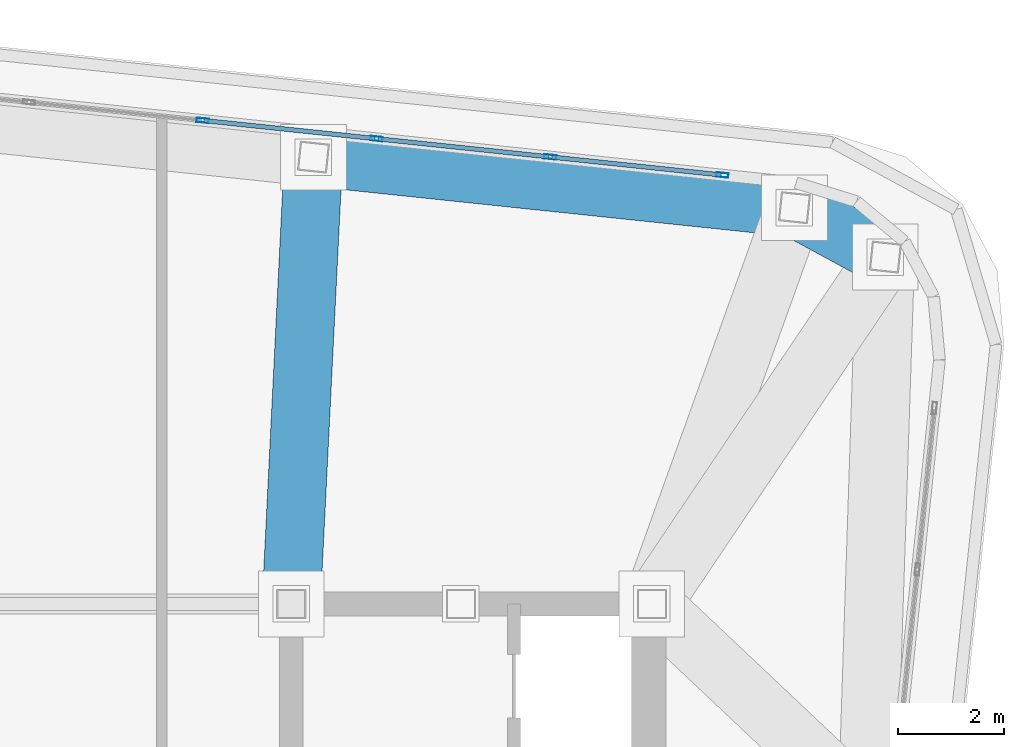
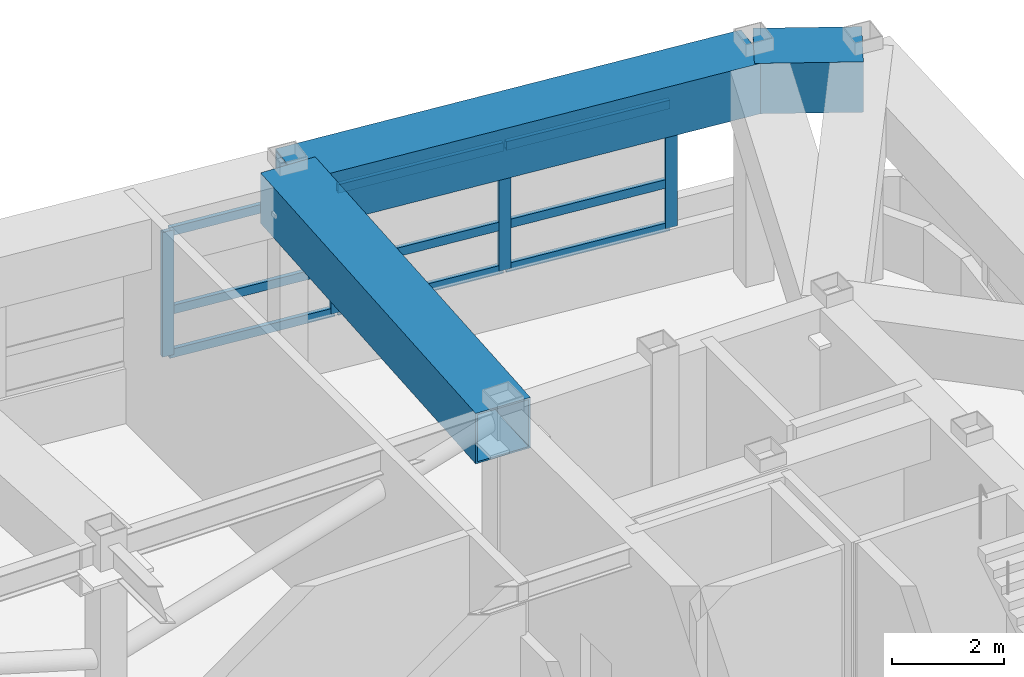
# One storey, part 16 of 22: 13 members, 3 beams, 1 element without a shape of its own.
"""IFC4 building model written with IfcOpenShell, lengths in metres."""

from ifc_helpers import new_model, si_unit, direction, frame, origin, origin_2d, place, context, subcontext, project, spatial, hollow_rectangle, extrude, material, layer, layer_set, material_profile, profile_set, type_object, element, aggregate, save


model = new_model("IFC4")

# Units and contexts
model_context = context("Model", 3, precision=1e-05, world=origin(), true_north=direction((0.0, 1.0)))
body_context = subcontext(model_context, "Body", "Model", "MODEL_VIEW")
ifc_project = project(units=[si_unit("LENGTHUNIT", "METRE"), si_unit("AREAUNIT", "SQUARE_METRE"), si_unit("VOLUMEUNIT", "CUBIC_METRE"), si_unit("PLANEANGLEUNIT", "RADIAN"), si_unit("MASSUNIT", "GRAM", prefix="KILO")], contexts=[model_context])

# Site, building, storey
site_placement = place(None, origin())
site = spatial("IfcSite", under=ifc_project, at=site_placement, CompositionType="ELEMENT")
building_placement = place(site_placement, origin())
building = spatial("IfcBuilding", under=site, at=building_placement, Name="Voryun Gate Residences", CompositionType="ELEMENT")
storey_placement = place(building_placement, frame((0.0, 0.0, 310.699951171875)))
storey = spatial("IfcBuildingStorey", under=building, at=storey_placement, Name="L77", CompositionType="ELEMENT", Elevation=310.699951171875)

# Beams
ifc_material_1 = material(Name="Steel SM420", Category="steel")
ifc_material_profile_1 = material_profile(ifc_material_1, hollow_rectangle(XDim=1.10009765625, YDim=1.10009765625, WallThickness=0.035888671875, at=origin_2d()), Name="BOX-1100x1100x36")
ifc_profile_set_1 = profile_set([ifc_material_profile_1], Name="Steel SM420")
beam_type = type_object("IfcBeamType", Name="BM_ARCH_RIB", PredefinedType="USERDEFINED", material=ifc_profile_set_1)
beam_1_placement = place(storey_placement, frame((23.603759765625, 13.9404296875, 4.47509765625), z_axis=(-0.87877849121, 0.477229885262, 0.0), x_axis=(-0.477229885262, -0.87877849121, 0.0)))
element("IfcBeam", 1, at=beam_1_placement, inside=storey, type_object=beam_type, Name="BM-L77-SPAND-10", ObjectType="GIRDER", PredefinedType="USERDEFINED", context=body_context, shape_type="SweptSolid", body=[
    extrude(hollow_rectangle(XDim=1.10009765625, YDim=1.10009765625, WallThickness=0.035888671875, at=origin_2d()), origin(), (0.0, 0.0, 1.0), 1.95166015625),
])
beam_2_placement = place(storey_placement, frame((21.888671875, 14.871826171875, 4.47509765625), z_axis=(-0.994523919568, 0.104509202498, 0.0), x_axis=(-0.104509202498, -0.994523919568, 0.0)))
element("IfcBeam", 2, at=beam_2_placement, inside=storey, type_object=beam_type, Name="BM-L77-SPAND-11", ObjectType="GIRDER", PredefinedType="USERDEFINED", context=body_context, shape_type="SweptSolid", body=[
    extrude(hollow_rectangle(XDim=1.10009765625, YDim=1.10009765625, WallThickness=0.035888671875, at=origin_2d()), origin(), (0.0, 0.0, 1.0), 9.1201171875),
])
beam_3_placement = place(storey_placement, frame((12.39990234375, 7.39990234375, 4.47509765625), z_axis=(0.049635922604, 0.998767377915, 0.0), x_axis=(-0.998767377915, 0.049635922604, 0.0)))
element("IfcBeam", 3, at=beam_3_placement, inside=storey, type_object=beam_type, Name="BM-L77-RAD-N2", ObjectType="GIRDER", PredefinedType="USERDEFINED", context=body_context, shape_type="SweptSolid", body=[
    extrude(hollow_rectangle(XDim=1.10009765625, YDim=1.10009765625, WallThickness=0.035888671875, at=origin_2d()), origin(), (0.0, 0.0, 1.0), 8.435546875),
])

# Curtain wall, members
ifc_material_2 = material(Name="Anodised aluminium", Category="aluminium")
ifc_layer = layer(ifc_material_2, 0.22998046875, Name="CW_SYS_LANTERN_DARK_GLASS")
ifc_layer_set = layer_set([ifc_layer], Name="Anodised aluminium")
curtain_wall_type = type_object("IfcCurtainWallType", Name="CW_SYS_LANTERN_DARK_GLASS", PredefinedType="NOTDEFINED", material=ifc_layer_set)
curtain_wall_placement = place(storey_placement, origin())
curtain_wall = element("IfcCurtainWall", 4, at=curtain_wall_placement, inside=storey, type_object=curtain_wall_type, Name="Curtain wall CW6-L77-11", PredefinedType="NOTDEFINED")
ifc_material_3 = material(Name="Anodised aluminium", Category="aluminium")
ifc_material_profile_2 = material_profile(ifc_material_3, hollow_rectangle(XDim=0.0849609375, YDim=0.22998046875, WallThickness=0.006103515625, at=origin_2d()), Name="ALU-MULL-230x85x6")
ifc_profile_set_2 = profile_set([ifc_material_profile_2], Name="Anodised aluminium")
member_type_1 = type_object("IfcMemberType", Name="CW_MULL_LANT", PredefinedType="MULLION", material=ifc_profile_set_2)
member_1_placement = place(storey_placement, frame((10.730712890625, 16.51708984375, 1.18994140625), z_axis=(0.0, 0.0, 1.0), x_axis=(0.10452775858, 0.994521969434, 0.0)))
member_1 = element("IfcMember", 5, at=member_1_placement, type_object=member_type_1, Name="CW6 mullion 11", PredefinedType="MULLION", context=body_context, shape_type="SweptSolid", body=[
    extrude(hollow_rectangle(XDim=0.0849609375, YDim=0.22998046875, WallThickness=0.006103515625, at=origin_2d()), origin(), (0.0, 0.0, 1.0), 2.72509765625),
])
member_2_placement = place(storey_placement, frame((14.007568359375, 16.172607421875, 1.18994140625), z_axis=(0.0, 0.0, 1.0), x_axis=(0.10452775858, 0.994521969434, 0.0)))
member_2 = element("IfcMember", 6, at=member_2_placement, type_object=member_type_1, Name="CW6 mullion 12", PredefinedType="MULLION", context=body_context, shape_type="SweptSolid", body=[
    extrude(hollow_rectangle(XDim=0.0849609375, YDim=0.22998046875, WallThickness=0.006103515625, at=origin_2d()), origin(), (0.0, 0.0, 1.0), 2.72509765625),
])
member_3_placement = place(storey_placement, frame((17.2841796875, 15.828369140625, 1.18994140625), z_axis=(0.0, 0.0, 1.0), x_axis=(0.10452775858, 0.994521969434, 0.0)))
member_3 = element("IfcMember", 7, at=member_3_placement, type_object=member_type_1, Name="CW6 mullion 13", PredefinedType="MULLION", context=body_context, shape_type="SweptSolid", body=[
    extrude(hollow_rectangle(XDim=0.0849609375, YDim=0.22998046875, WallThickness=0.006103515625, at=origin_2d()), origin(), (0.0, 0.0, 1.0), 2.72509765625),
])
member_4_placement = place(storey_placement, frame((20.53076171875, 15.487060546875, 1.18994140625), z_axis=(0.0, 0.0, 1.0), x_axis=(0.10452775858, 0.994521969434, 0.0)))
member_4 = element("IfcMember", 8, at=member_4_placement, type_object=member_type_1, Name="CW6 mullion 14", PredefinedType="MULLION", context=body_context, shape_type="SweptSolid", body=[
    extrude(hollow_rectangle(XDim=0.0849609375, YDim=0.22998046875, WallThickness=0.006103515625, at=origin_2d()), origin(), (0.0, 0.0, 1.0), 2.72509765625),
])
ifc_material_4 = material(Name="Anodised aluminium", Category="aluminium")
ifc_material_profile_3 = material_profile(ifc_material_4, hollow_rectangle(XDim=0.0849609375, YDim=0.18994140625, WallThickness=0.006103515625, at=origin_2d()), Name="ALU-TRAN-190x85x6")
ifc_profile_set_3 = profile_set([ifc_material_profile_3], Name="Anodised aluminium")
member_type_2 = type_object("IfcMemberType", Name="CW_TRAN_LANT", PredefinedType="USERDEFINED", material=ifc_profile_set_3)
member_5_placement = place(storey_placement, frame((10.7607421875, 16.513916015625, 1.219970703125), z_axis=(0.994520745033, -0.104539407398, 0.0), x_axis=(0.104539407398, 0.994520745033, 0.0)))
member_5 = element("IfcMember", 9, at=member_5_placement, type_object=member_type_2, Name="CW6 transom 11.1", ObjectType="TRANSOM", PredefinedType="USERDEFINED", context=body_context, shape_type="SweptSolid", body=[
    extrude(hollow_rectangle(XDim=0.0849609375, YDim=0.18994140625, WallThickness=0.006103515625, at=origin_2d()), origin(), (0.0, 0.0, 1.0), 3.234619140625),
])
member_6_placement = place(storey_placement, frame((10.7607421875, 16.513916015625, 2.171142578125), z_axis=(0.994520745033, -0.104539407398, 0.0), x_axis=(0.104539407398, 0.994520745033, 0.0)))
member_6 = element("IfcMember", 10, at=member_6_placement, type_object=member_type_2, Name="CW6 transom 11.2", ObjectType="TRANSOM", PredefinedType="USERDEFINED", context=body_context, shape_type="SweptSolid", body=[
    extrude(hollow_rectangle(XDim=0.0849609375, YDim=0.18994140625, WallThickness=0.006103515625, at=origin_2d()), origin(), (0.0, 0.0, 1.0), 3.234619140625),
])
member_7_placement = place(storey_placement, frame((10.7607421875, 16.513916015625, 3.885009765625), z_axis=(0.994520745033, -0.104539407398, 0.0), x_axis=(0.104539407398, 0.994520745033, 0.0)))
member_7 = element("IfcMember", 11, at=member_7_placement, type_object=member_type_2, Name="CW6 transom 11.3", ObjectType="TRANSOM", PredefinedType="USERDEFINED", context=body_context, shape_type="SweptSolid", body=[
    extrude(hollow_rectangle(XDim=0.0849609375, YDim=0.18994140625, WallThickness=0.006103515625, at=origin_2d()), origin(), (0.0, 0.0, 1.0), 3.234619140625),
])
member_8_placement = place(storey_placement, frame((14.037353515625, 16.16943359375, 1.219970703125), z_axis=(0.994520745033, -0.104539407398, 0.0), x_axis=(0.104539407398, 0.994520745033, 0.0)))
member_8 = element("IfcMember", 12, at=member_8_placement, type_object=member_type_2, Name="CW6 transom 12.1", ObjectType="TRANSOM", PredefinedType="USERDEFINED", context=body_context, shape_type="SweptSolid", body=[
    extrude(hollow_rectangle(XDim=0.0849609375, YDim=0.18994140625, WallThickness=0.006103515625, at=origin_2d()), origin(), (0.0, 0.0, 1.0), 3.234619140625),
])
member_9_placement = place(storey_placement, frame((14.037353515625, 16.16943359375, 2.171142578125), z_axis=(0.994520745033, -0.104539407398, 0.0), x_axis=(0.104539407398, 0.994520745033, 0.0)))
member_9 = element("IfcMember", 13, at=member_9_placement, type_object=member_type_2, Name="CW6 transom 12.2", ObjectType="TRANSOM", PredefinedType="USERDEFINED", context=body_context, shape_type="SweptSolid", body=[
    extrude(hollow_rectangle(XDim=0.0849609375, YDim=0.18994140625, WallThickness=0.006103515625, at=origin_2d()), origin(), (0.0, 0.0, 1.0), 3.234619140625),
])
member_10_placement = place(storey_placement, frame((14.037353515625, 16.16943359375, 3.885009765625), z_axis=(0.994520745033, -0.104539407398, 0.0), x_axis=(0.104539407398, 0.994520745033, 0.0)))
member_10 = element("IfcMember", 14, at=member_10_placement, type_object=member_type_2, Name="CW6 transom 12.3", ObjectType="TRANSOM", PredefinedType="USERDEFINED", context=body_context, shape_type="SweptSolid", body=[
    extrude(hollow_rectangle(XDim=0.0849609375, YDim=0.18994140625, WallThickness=0.006103515625, at=origin_2d()), origin(), (0.0, 0.0, 1.0), 3.234619140625),
])
member_11_placement = place(storey_placement, frame((17.31396484375, 15.8251953125, 1.219970703125), z_axis=(0.994522138405, -0.104526150903, 0.0), x_axis=(0.104526150903, 0.994522138405, 0.0)))
member_11 = element("IfcMember", 15, at=member_11_placement, type_object=member_type_2, Name="CW6 transom 13.1", ObjectType="TRANSOM", PredefinedType="USERDEFINED", context=body_context, shape_type="SweptSolid", body=[
    extrude(hollow_rectangle(XDim=0.0849609375, YDim=0.18994140625, WallThickness=0.006103515625, at=origin_2d()), origin(), (0.0, 0.0, 1.0), 3.20458984375),
])
member_12_placement = place(storey_placement, frame((17.31396484375, 15.8251953125, 2.171142578125), z_axis=(0.994522138405, -0.104526150903, 0.0), x_axis=(0.104526150903, 0.994522138405, 0.0)))
member_12 = element("IfcMember", 16, at=member_12_placement, type_object=member_type_2, Name="CW6 transom 13.2", ObjectType="TRANSOM", PredefinedType="USERDEFINED", context=body_context, shape_type="SweptSolid", body=[
    extrude(hollow_rectangle(XDim=0.0849609375, YDim=0.18994140625, WallThickness=0.006103515625, at=origin_2d()), origin(), (0.0, 0.0, 1.0), 3.20458984375),
])
member_13_placement = place(storey_placement, frame((17.31396484375, 15.8251953125, 3.885009765625), z_axis=(0.994522138405, -0.104526150903, 0.0), x_axis=(0.104526150903, 0.994522138405, 0.0)))
member_13 = element("IfcMember", 17, at=member_13_placement, type_object=member_type_2, Name="CW6 transom 13.3", ObjectType="TRANSOM", PredefinedType="USERDEFINED", context=body_context, shape_type="SweptSolid", body=[
    extrude(hollow_rectangle(XDim=0.0849609375, YDim=0.18994140625, WallThickness=0.006103515625, at=origin_2d()), origin(), (0.0, 0.0, 1.0), 3.20458984375),
])
aggregate(curtain_wall, [member_1, member_2, member_3, member_4, member_5, member_6, member_7, member_8, member_9, member_10, member_11, member_12, member_13])

save(model, "model.ifc")
